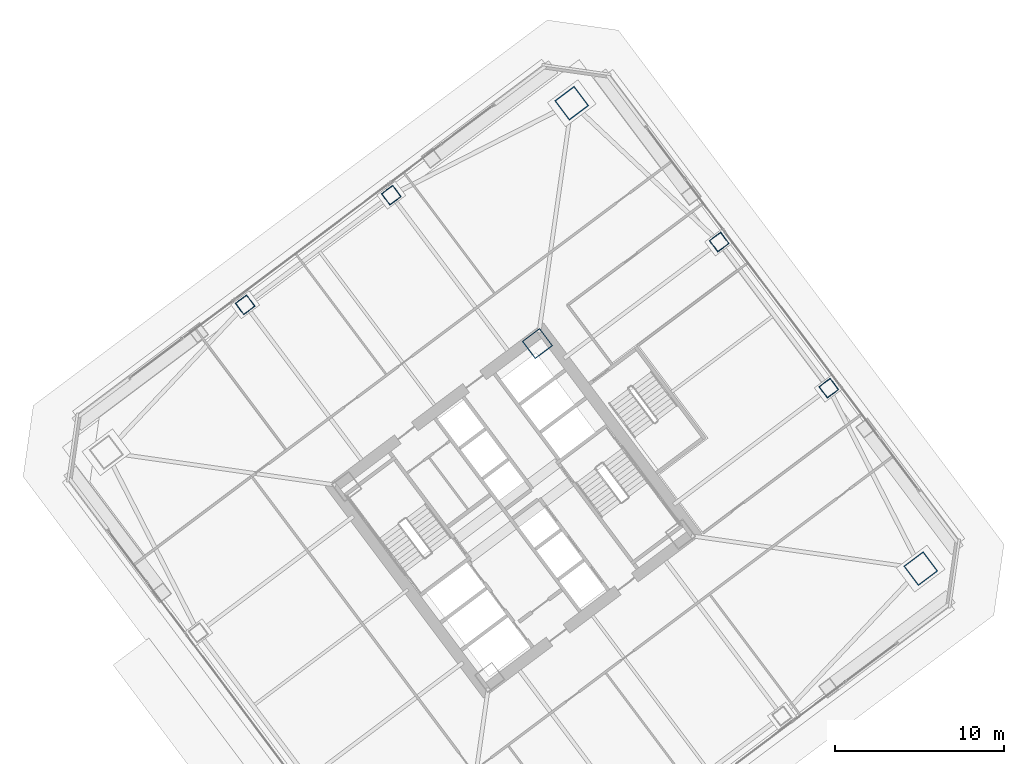
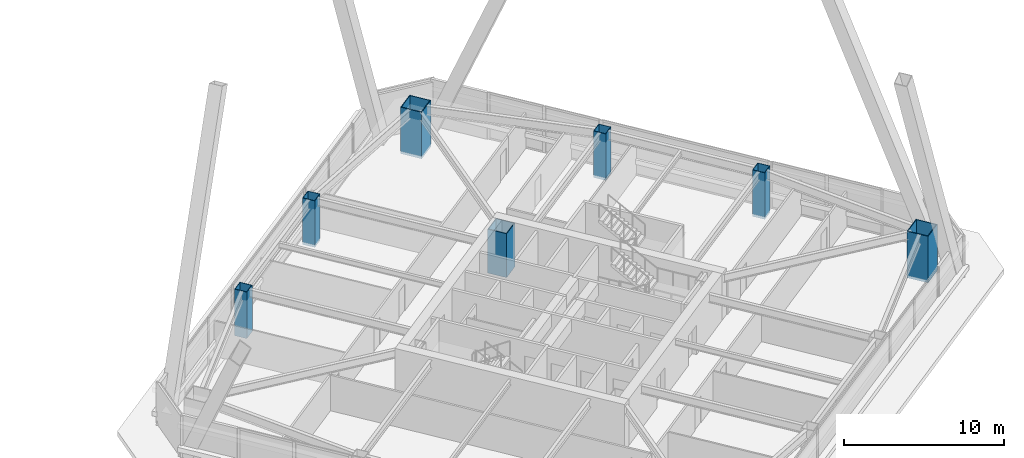
# One storey, part 2 of 67: 7 columns.
"""IFC4 building model written with IfcOpenShell, lengths in metres."""

from ifc_helpers import new_model, si_unit, direction, frame, origin, origin_2d, place, context, subcontext, project, spatial, hollow_rectangle, extrude, material, material_profile, profile_set, type_object, element, save


model = new_model("IFC4")

# Units and contexts
model_context = context("Model", 3, precision=1e-05, world=origin(), true_north=direction((0.0, 1.0)))
body_context = subcontext(model_context, "Body", "Model", "MODEL_VIEW")
ifc_project = project(units=[si_unit("LENGTHUNIT", "METRE"), si_unit("AREAUNIT", "SQUARE_METRE"), si_unit("VOLUMEUNIT", "CUBIC_METRE"), si_unit("PLANEANGLEUNIT", "RADIAN"), si_unit("MASSUNIT", "GRAM", prefix="KILO")], contexts=[model_context])

# Site, building, storey
site_placement = place(None, origin())
site = spatial("IfcSite", under=ifc_project, at=site_placement, CompositionType="ELEMENT")
building_placement = place(site_placement, origin())
building = spatial("IfcBuilding", under=site, at=building_placement, Name="Tashvorn Skyway Center", CompositionType="ELEMENT")
storey_placement = place(building_placement, frame((0.0, 0.0, 67.199951171875)))
storey = spatial("IfcBuildingStorey", under=building, at=storey_placement, Name="L17", CompositionType="ELEMENT", Elevation=67.199951171875)

# Columns
ifc_material = material(Name="Steel ASTM A572 Grade 50", Category="steel")
ifc_material_profile_1 = material_profile(ifc_material, hollow_rectangle(XDim=1.300048828125, YDim=1.300048828125, WallThickness=0.050048828125, at=origin_2d()), Name="BOX1300x1300x50")
ifc_profile_set_1 = profile_set([ifc_material_profile_1], Name="Steel ASTM A572 Grade 50")
column_type_1 = type_object("IfcColumnType", Name="COL-BOX1300x1300x50", PredefinedType="COLUMN", material=ifc_profile_set_1)
column_placement = place(storey_placement, frame((115.409912109375, 41.8701171875, 0.0), z_axis=(0.0, 0.0, 1.0), x_axis=(0.799999996291, 0.600000004945, 0.0)))
element("IfcColumn", 1, at=column_placement, inside=storey, type_object=column_type_1, Name="Tower 2 L17 Core Corner Column CC-NE", PredefinedType="COLUMN", context=body_context, shape_type="SweptSolid", body=[
    extrude(hollow_rectangle(XDim=1.300048828125, YDim=1.300048828125, WallThickness=0.050048828125, at=origin_2d()), origin(), (0.0, 0.0, 1.0), 3.35009765625),
])
ifc_material_profile_2 = material_profile(ifc_material, hollow_rectangle(XDim=1.449951171875, YDim=1.449951171875, WallThickness=0.054931640625, at=origin_2d()), Name="BOX1450x1450x55")
ifc_profile_set_2 = profile_set([ifc_material_profile_2], Name="Steel ASTM A572 Grade 50")
column_type_2 = type_object("IfcColumnType", Name="COL-BOX1450x1450x55", PredefinedType="COLUMN", material=ifc_profile_set_2)
for number, where, z_axis, x_axis, name in (
    (2, (138.080078125, 28.56005859375, -0.195068359375), (0.0, 0.0, 1.0), (0.799999996291, 0.600000004945, 0.0), "Tower 2 L17 Mega-Column MC-SE"),
    (3, (117.43994140625, 56.080078125, -0.195068359375), (0.0, 0.0, 1.0), (0.799999996291, 0.600000004945, 0.0), "Tower 2 L17 Mega-Column MC-NE"),
):
    element("IfcColumn", number, at=place(storey_placement, frame(where, z_axis=z_axis, x_axis=x_axis)), inside=storey, type_object=column_type_2, Name=name, PredefinedType="COLUMN", context=body_context, shape_type="SweptSolid", body=[
        extrude(hollow_rectangle(XDim=1.449951171875, YDim=1.449951171875, WallThickness=0.054931640625, at=origin_2d()), origin(), (0.0, 0.0, 1.0), 3.545166015625),
    ])
ifc_material_profile_3 = material_profile(ifc_material, hollow_rectangle(XDim=0.85009765625, YDim=0.85009765625, WallThickness=0.034912109375, at=origin_2d()), Name="BOX850x850x35")
ifc_profile_set_3 = profile_set([ifc_material_profile_3], Name="Steel ASTM A572 Grade 50")
column_type_3 = type_object("IfcColumnType", Name="COL-BOX850x850x35", PredefinedType="COLUMN", material=ifc_profile_set_3)
for number, where, z_axis, x_axis, name in (
    (4, (132.639892578125, 39.22998046875, -0.195068359375), (0.0, 0.0, 1.0), (0.799999996291, 0.600000004945, 0.0), "Tower 2 L17 Perimeter Column FC-E1"),
    (5, (126.159912109375, 47.8701171875, -0.195068359375), (0.0, 0.0, 1.0), (0.799999996291, 0.600000004945, 0.0), "Tower 2 L17 Perimeter Column FC-E2"),
    (6, (106.77001953125, 50.639892578125, -0.195068359375), (0.0, 0.0, 1.0), (0.799999996291, 0.600000004945, 0.0), "Tower 2 L17 Perimeter Column FC-N1"),
    (7, (98.1298828125, 44.159912109375, -0.195068359375), (0.0, 0.0, 1.0), (0.799999996291, 0.600000004945, 0.0), "Tower 2 L17 Perimeter Column FC-N2"),
):
    element("IfcColumn", number, at=place(storey_placement, frame(where, z_axis=z_axis, x_axis=x_axis)), inside=storey, type_object=column_type_3, Name=name, PredefinedType="COLUMN", context=body_context, shape_type="SweptSolid", body=[
        extrude(hollow_rectangle(XDim=0.85009765625, YDim=0.85009765625, WallThickness=0.034912109375, at=origin_2d()), origin(), (0.0, 0.0, 1.0), 3.545166015625),
    ])

save(model, "model.ifc")
